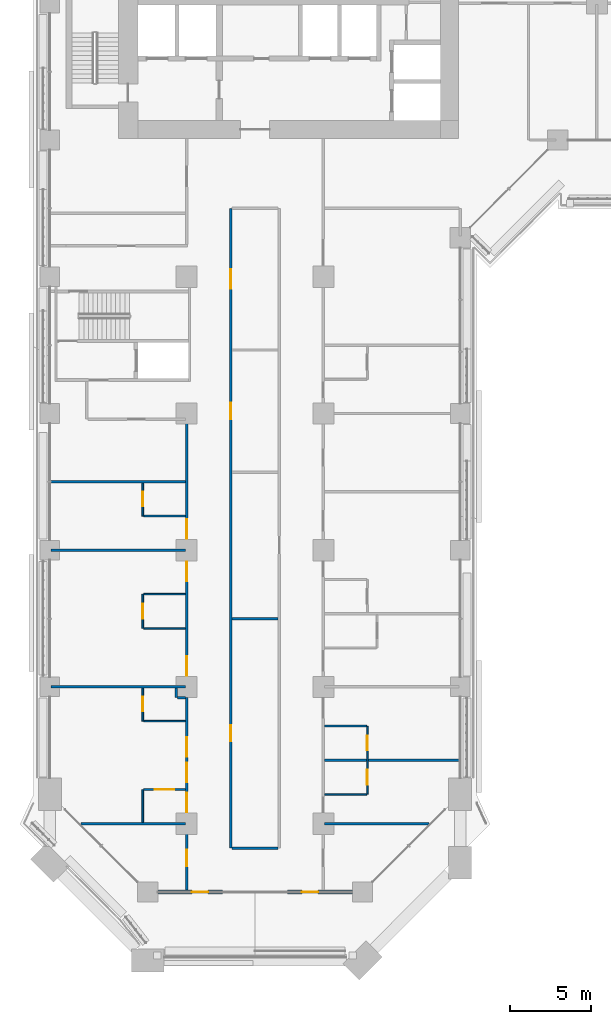
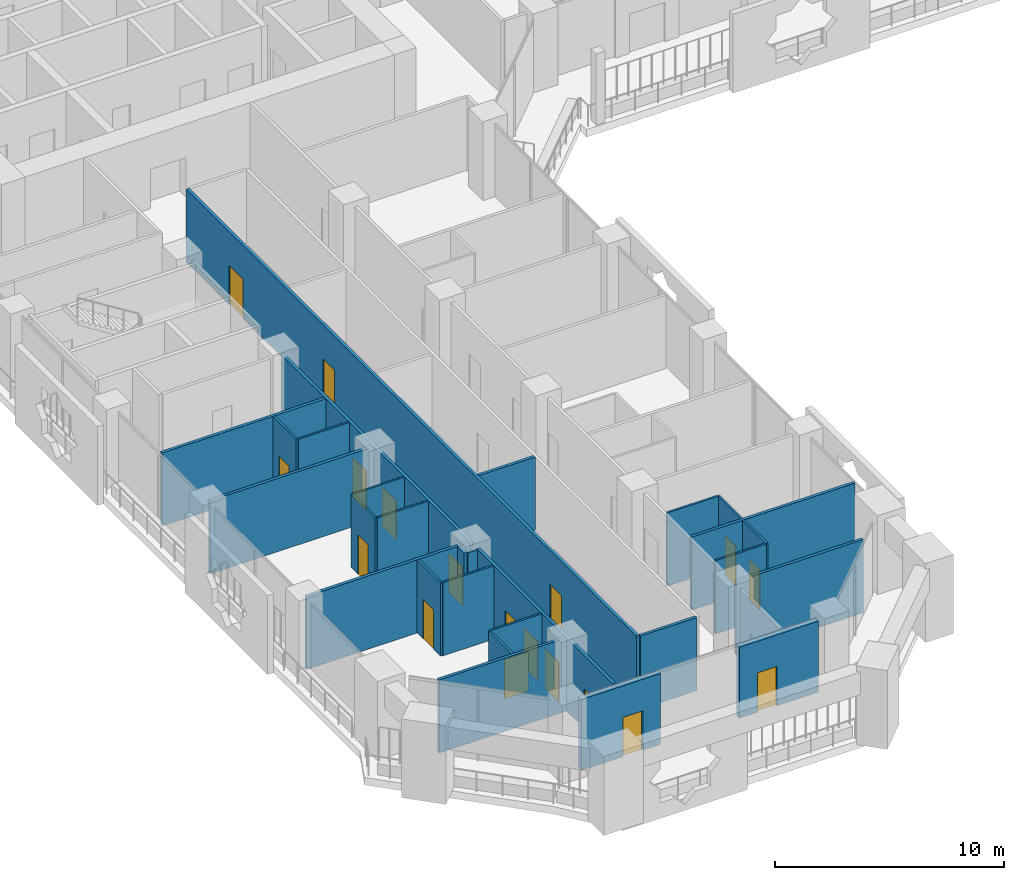
# One storey, part 13 of 28: 27 walls, 18 doors, 18 openings.
"""IFC4 building model written with IfcOpenShell, lengths in metres."""

from ifc_helpers import new_model, si_unit, direction, frame, frame_2d, origin, place, context, subcontext, project, spatial, rectangle, extrude, material, layer, layer_set, type_object, element, fill, save


model = new_model("IFC4")

# Units and contexts
model_context = context("Model", 3, precision=1e-05, world=origin(), true_north=direction((0.0, 1.0)))
body_context = subcontext(model_context, "Body", "Model", "MODEL_VIEW")
ifc_project = project(units=[si_unit("LENGTHUNIT", "METRE"), si_unit("AREAUNIT", "SQUARE_METRE"), si_unit("VOLUMEUNIT", "CUBIC_METRE"), si_unit("PLANEANGLEUNIT", "RADIAN"), si_unit("MASSUNIT", "GRAM", prefix="KILO")], contexts=[model_context])

# Site, building, storey
site_placement = place(None, origin())
site = spatial("IfcSite", under=ifc_project, at=site_placement, CompositionType="ELEMENT")
building_placement = place(site_placement, origin())
building = spatial("IfcBuilding", under=site, at=building_placement, Name="Kawkab Arch Medical Tower", CompositionType="ELEMENT")
storey_placement = place(building_placement, frame((0.0, 0.0, 56.0)))
storey = spatial("IfcBuildingStorey", under=building, at=storey_placement, Name="L12", CompositionType="ELEMENT", Elevation=56.0)

# Wall, opening, door
ifc_material_1 = material(Name="Bronze clad insulated wall panel")
ifc_layer_1 = layer(ifc_material_1, 0.25)
ifc_layer_set_1 = layer_set([ifc_layer_1], Name="Bronze clad insulated wall panel")
wall_type_1 = type_object("IfcWallType", Name="External wall bay 250", PredefinedType="SOLIDWALL", material=ifc_layer_set_1)
wall_1_placement = place(storey_placement, frame((6.625, -71.39990234375, 0.0), z_axis=(0.0, 0.0, 1.0), x_axis=(1.0, 0.0, 0.0)))
wall_1 = element("IfcWall", 1, at=wall_1_placement, inside=storey, type_object=wall_type_1, Name="External wall bay L12.R03.1.1", PredefinedType="SOLIDWALL", context=body_context, shape_type="SweptSolid", body=[
    extrude(rectangle(XDim=3.9833984375, YDim=0.25, at=frame_2d((1.99169921875, 0.0))), origin(), (0.0, 0.0, 1.0), 3.780029296875),
])
opening_1_placement = place(wall_1_placement, frame((2.091796875, 0.0, 0.0)))
opening_1 = element("IfcOpeningElement", 2, at=opening_1_placement, cuts=wall_1, Name="Opening W12-701", PredefinedType="OPENING", context=body_context, shape_type="SweptSolid", body=[
    extrude(rectangle(XDim=1.0, YDim=2.10009765625, at=frame_2d((0.5, 1.050048828125))), frame((0.0, 0.135009765625, 0.0), z_axis=(0.0, -1.0, 0.0), x_axis=(1.0, 0.0, 0.0)), (0.0, 0.0, 1.0), 0.27001953125),
])
ifc_material_2 = material(Name="Bronze anodised aluminium door with tinted glass", Category="aluminium")
door_type_1 = type_object("IfcDoorType", Name="Single external door 1000 x 2100", OperationType="SINGLE_SWING_LEFT", PredefinedType="DOOR", material=ifc_material_2)
door_1_placement = place(opening_1_placement, origin())
door_1 = element("IfcDoor", 3, at=door_1_placement, inside=storey, type_object=door_type_1, Name="External door L12.R03.1.1", OperationType="SINGLE_SWING_LEFT", OverallHeight=2.10009765625, OverallWidth=1.0, PredefinedType="DOOR", context=body_context, shape_type="SweptSolid", body=[
    extrude(rectangle(XDim=1.0, YDim=2.10009765625, at=frame_2d((0.5, 1.050048828125))), frame((0.0, 0.02490234375, 0.0), z_axis=(0.0, -1.0, 0.0), x_axis=(1.0, 0.0, 0.0)), (0.0, 0.0, 1.0), 0.050048828125),
])
fill(opening_1, door_1)

wall_2_placement = place(storey_placement, frame((14.591552734375, -71.39990234375, 0.0), z_axis=(0.0, 0.0, 1.0), x_axis=(1.0, 0.0, 0.0)))
wall_2 = element("IfcWall", 4, at=wall_2_placement, inside=storey, type_object=wall_type_1, Name="External wall bay L12.R03.1.3", PredefinedType="SOLIDWALL", context=body_context, shape_type="SweptSolid", body=[
    extrude(rectangle(XDim=3.9833984375, YDim=0.25, at=frame_2d((1.99169921875, 0.0))), origin(), (0.0, 0.0, 1.0), 3.780029296875),
])
opening_2_placement = place(wall_2_placement, frame((0.8916015625, 0.0, 0.0)))
opening_2 = element("IfcOpeningElement", 5, at=opening_2_placement, cuts=wall_2, Name="Opening W12-701", PredefinedType="OPENING", context=body_context, shape_type="SweptSolid", body=[
    extrude(rectangle(XDim=1.0, YDim=2.10009765625, at=frame_2d((0.5, 1.050048828125))), frame((0.0, 0.135009765625, 0.0), z_axis=(0.0, -1.0, 0.0), x_axis=(1.0, 0.0, 0.0)), (0.0, 0.0, 1.0), 0.27001953125),
])
door_2_placement = place(opening_2_placement, origin())
door_2 = element("IfcDoor", 6, at=door_2_placement, inside=storey, type_object=door_type_1, Name="External door L12.R03.1.3", OperationType="SINGLE_SWING_LEFT", OverallHeight=2.10009765625, OverallWidth=1.0, PredefinedType="DOOR", context=body_context, shape_type="SweptSolid", body=[
    extrude(rectangle(XDim=1.0, YDim=2.10009765625, at=frame_2d((0.5, 1.050048828125))), frame((0.0, 0.02490234375, 0.0), z_axis=(0.0, -1.0, 0.0), x_axis=(1.0, 0.0, 0.0)), (0.0, 0.0, 1.0), 0.050048828125),
])
fill(opening_2, door_2)

# Wall
ifc_material_3 = material(Name="Gypsum board partition on steel studs", Category="steel")
ifc_layer_2 = layer(ifc_material_3, 0.10009765625)
ifc_layer_set_2 = layer_set([ifc_layer_2], Name="Gypsum board partition on steel studs")
wall_type_2 = type_object("IfcWallType", Name="Partition 100", PredefinedType="PARTITIONING", material=ifc_layer_set_2)
wall_3_placement = place(storey_placement, frame((16.875, -65.39990234375, 0.0), z_axis=(0.0, 0.0, 1.0), x_axis=(1.0, 0.0, 0.0)))
element("IfcWall", 7, at=wall_3_placement, inside=storey, type_object=wall_type_2, Name="Partition 100 w001", PredefinedType="PARTITIONING", context=body_context, shape_type="SweptSolid", body=[
    extrude(rectangle(XDim=2.574951171875, YDim=0.10009765625, at=frame_2d((1.28759765625, 0.0))), origin(), (0.0, 0.0, 1.0), 3.89990234375),
])

# Wall, opening, door
wall_4_placement = place(storey_placement, frame((5.75, -65.10009765625, 0.0), z_axis=(0.0, 0.0, 1.0), x_axis=(1.0, 0.0, 0.0)))
wall_4 = element("IfcWall", 8, at=wall_4_placement, inside=storey, type_object=wall_type_2, Name="Partition 100 w002", PredefinedType="PARTITIONING", context=body_context, shape_type="SweptSolid", body=[
    extrude(rectangle(XDim=2.574951171875, YDim=0.10009765625, at=frame_2d((1.28759765625, 0.0))), origin(), (0.0, 0.0, 1.0), 3.89990234375),
])
opening_3_placement = place(wall_4_placement, frame((0.699951171875, 0.0, 0.0)))
opening_3 = element("IfcOpeningElement", 9, at=opening_3_placement, cuts=wall_4, Name="Opening W12-068", PredefinedType="OPENING", context=body_context, shape_type="SweptSolid", body=[
    extrude(rectangle(XDim=1.199951171875, YDim=2.10009765625, at=frame_2d((0.60009765625, 1.050048828125))), frame((0.0, 0.06005859375, 0.0), z_axis=(0.0, -1.0, 0.0), x_axis=(1.0, 0.0, 0.0)), (0.0, 0.0, 1.0), 0.1201171875),
])
ifc_material_4 = material(Name="Timber door leaf", Category="wood")
door_type_2 = type_object("IfcDoorType", Name="Single door 1200x2100", OperationType="NOTDEFINED", PredefinedType="DOOR", material=ifc_material_4)
door_3_placement = place(opening_3_placement, origin())
door_3 = element("IfcDoor", 10, at=door_3_placement, inside=storey, type_object=door_type_2, Name="Door W12-068", OperationType="SINGLE_SWING_LEFT", OverallHeight=2.10009765625, OverallWidth=1.199951171875, PredefinedType="DOOR", context=body_context, shape_type="SweptSolid", body=[
    extrude(rectangle(XDim=1.199951171875, YDim=2.10009765625, at=frame_2d((0.60009765625, 1.050048828125))), frame((0.0, 0.02490234375, 0.0), z_axis=(0.0, -1.0, 0.0), x_axis=(1.0, 0.0, 0.0)), (0.0, 0.0, 1.0), 0.050048828125),
])
fill(opening_3, door_3)

# Walls
for number, where, z_axis, x_axis, name in (
    (11, (16.875, -61.199951171875, 0.0), (0.0, 0.0, 1.0), (1.0, 0.0, 0.0), "Partition 100 w003"),
    (12, (5.75, -60.89990234375, 0.0), (0.0, 0.0, 1.0), (1.0, 0.0, 0.0), "Partition 100 w004"),
):
    element("IfcWall", number, at=place(storey_placement, frame(where, z_axis=z_axis, x_axis=x_axis)), inside=storey, type_object=wall_type_2, Name=name, PredefinedType="PARTITIONING", context=body_context, shape_type="SweptSolid", body=[
        extrude(rectangle(XDim=2.574951171875, YDim=0.10009765625, at=frame_2d((1.28759765625, 0.0))), origin(), (0.0, 0.0, 1.0), 3.89990234375),
    ])
wall_5_placement = place(storey_placement, frame((5.7509765625, -55.199951171875, 0.0), z_axis=(0.0, 0.0, 1.0), x_axis=(1.0, 0.0, 0.0)))
element("IfcWall", 13, at=wall_5_placement, inside=storey, type_object=wall_type_2, Name="Partition 100 w006", PredefinedType="PARTITIONING", context=body_context, shape_type="SweptSolid", body=[
    extrude(rectangle(XDim=2.573974609375, YDim=0.10009765625, at=frame_2d((1.287109375, 0.0))), origin(), (0.0, 0.0, 1.0), 3.89990234375),
])
wall_6_placement = place(storey_placement, frame((5.751953125, -53.10009765625, 0.0), z_axis=(0.0, 0.0, 1.0), x_axis=(1.0, 0.0, 0.0)))
element("IfcWall", 14, at=wall_6_placement, inside=storey, type_object=wall_type_2, Name="Partition 100 w007", PredefinedType="PARTITIONING", context=body_context, shape_type="SweptSolid", body=[
    extrude(rectangle(XDim=2.572998046875, YDim=0.10009765625, at=frame_2d((1.28662109375, 0.0))), origin(), (0.0, 0.0, 1.0), 3.89990234375),
])
wall_7_placement = place(storey_placement, frame((5.75, -48.300048828125, 0.0), z_axis=(0.0, 0.0, 1.0), x_axis=(1.0, 0.0, 0.0)))
element("IfcWall", 15, at=wall_7_placement, inside=storey, type_object=wall_type_2, Name="Partition 100 w009", PredefinedType="PARTITIONING", context=body_context, shape_type="SweptSolid", body=[
    extrude(rectangle(XDim=2.574951171875, YDim=0.10009765625, at=frame_2d((1.28759765625, 0.0))), origin(), (0.0, 0.0, 1.0), 3.89990234375),
])
wall_8_placement = place(storey_placement, frame((5.699951171875, -67.125, 0.0), z_axis=(0.0, 0.0, 1.0), x_axis=(0.0, 1.0, 0.0)))
element("IfcWall", 16, at=wall_8_placement, inside=storey, type_object=wall_type_2, Name="Partition 100 w019", PredefinedType="PARTITIONING", context=body_context, shape_type="SweptSolid", body=[
    extrude(rectangle(XDim=2.02490234375, YDim=0.10009765625, at=frame_2d((1.012451171875, 0.0))), origin(), (0.0, 0.0, 1.0), 3.89990234375),
])

# Wall, opening, door
wall_9_placement = place(storey_placement, frame((5.699951171875, -60.89990234375, 0.0), z_axis=(0.0, 0.0, 1.0), x_axis=(0.0, 1.0, 0.0)))
wall_9 = element("IfcWall", 17, at=wall_9_placement, inside=storey, type_object=wall_type_2, Name="Partition 100 w020", PredefinedType="PARTITIONING", context=body_context, shape_type="SweptSolid", body=[
    extrude(rectangle(XDim=2.02490234375, YDim=0.10009765625, at=frame_2d((1.012451171875, 0.0))), origin(), (0.0, 0.0, 1.0), 3.89990234375),
])
opening_4_placement = place(wall_9_placement, frame((0.60009765625, 0.0, 0.0)))
opening_4 = element("IfcOpeningElement", 18, at=opening_4_placement, cuts=wall_9, Name="Opening W12-019", PredefinedType="OPENING", context=body_context, shape_type="SweptSolid", body=[
    extrude(rectangle(XDim=0.89990234375, YDim=2.10009765625, at=frame_2d((0.449951171875, 1.050048828125))), frame((0.0, 0.06005859375, 0.0), z_axis=(0.0, -1.0, 0.0), x_axis=(1.0, 0.0, 0.0)), (0.0, 0.0, 1.0), 0.1201171875),
])
ifc_material_5 = material(Name="Timber door leaf", Category="wood")
door_type_3 = type_object("IfcDoorType", Name="Single door 900x2100", OperationType="NOTDEFINED", PredefinedType="DOOR", material=ifc_material_5)
door_4_placement = place(opening_4_placement, origin())
door_4 = element("IfcDoor", 19, at=door_4_placement, inside=storey, type_object=door_type_3, Name="Door W12-019", OperationType="SINGLE_SWING_RIGHT", OverallHeight=2.10009765625, OverallWidth=0.89990234375, PredefinedType="DOOR", context=body_context, shape_type="SweptSolid", body=[
    extrude(rectangle(XDim=0.89990234375, YDim=2.10009765625, at=frame_2d((0.449951171875, 1.050048828125))), frame((0.0, 0.02490234375, 0.0), z_axis=(0.0, -1.0, 0.0), x_axis=(1.0, 0.0, 0.0)), (0.0, 0.0, 1.0), 0.050048828125),
])
fill(opening_4, door_4)

wall_10_placement = place(storey_placement, frame((5.699951171875, -55.197998046875, 0.0), z_axis=(0.0, 0.0, 1.0), x_axis=(0.0, 1.0, 0.0)))
wall_10 = element("IfcWall", 20, at=wall_10_placement, inside=storey, type_object=wall_type_2, Name="Partition 100 w021", PredefinedType="PARTITIONING", context=body_context, shape_type="SweptSolid", body=[
    extrude(rectangle(XDim=2.095947265625, YDim=0.10009765625, at=frame_2d((1.0478515625, 0.0))), origin(), (0.0, 0.0, 1.0), 3.89990234375),
])
opening_5_placement = place(wall_10_placement, frame((0.597900390625, 0.0, 0.0)))
opening_5 = element("IfcOpeningElement", 21, at=opening_5_placement, cuts=wall_10, Name="Opening W12-018", PredefinedType="OPENING", context=body_context, shape_type="SweptSolid", body=[
    extrude(rectangle(XDim=0.89990234375, YDim=2.10009765625, at=frame_2d((0.449951171875, 1.050048828125))), frame((0.0, 0.06005859375, 0.0), z_axis=(0.0, -1.0, 0.0), x_axis=(1.0, 0.0, 0.0)), (0.0, 0.0, 1.0), 0.1201171875),
])
door_5_placement = place(opening_5_placement, origin())
door_5 = element("IfcDoor", 22, at=door_5_placement, inside=storey, type_object=door_type_3, Name="Door W12-018", OperationType="SINGLE_SWING_LEFT", OverallHeight=2.10009765625, OverallWidth=0.89990234375, PredefinedType="DOOR", context=body_context, shape_type="SweptSolid", body=[
    extrude(rectangle(XDim=0.89990234375, YDim=2.10009765625, at=frame_2d((0.449951171875, 1.050048828125))), frame((0.0, 0.02490234375, 0.0), z_axis=(0.0, -1.0, 0.0), x_axis=(1.0, 0.0, 0.0)), (0.0, 0.0, 1.0), 0.050048828125),
])
fill(opening_5, door_5)

wall_11_placement = place(storey_placement, frame((5.699951171875, -48.300048828125, 0.0), z_axis=(0.0, 0.0, 1.0), x_axis=(0.0, 1.0, 0.0)))
wall_11 = element("IfcWall", 23, at=wall_11_placement, inside=storey, type_object=wall_type_2, Name="Partition 100 w022", PredefinedType="PARTITIONING", context=body_context, shape_type="SweptSolid", body=[
    extrude(rectangle(XDim=2.025146484375, YDim=0.10009765625, at=frame_2d((1.0126953125, 0.0))), origin(), (0.0, 0.0, 1.0), 3.89990234375),
])
opening_6_placement = place(wall_11_placement, frame((0.60009765625, 0.0, 0.0)))
opening_6 = element("IfcOpeningElement", 24, at=opening_6_placement, cuts=wall_11, Name="Opening W12-017", PredefinedType="OPENING", context=body_context, shape_type="SweptSolid", body=[
    extrude(rectangle(XDim=0.89990234375, YDim=2.10009765625, at=frame_2d((0.449951171875, 1.050048828125))), frame((0.0, 0.06005859375, 0.0), z_axis=(0.0, -1.0, 0.0), x_axis=(1.0, 0.0, 0.0)), (0.0, 0.0, 1.0), 0.1201171875),
])
door_6_placement = place(opening_6_placement, origin())
door_6 = element("IfcDoor", 25, at=door_6_placement, inside=storey, type_object=door_type_3, Name="Door W12-017", OperationType="SINGLE_SWING_RIGHT", OverallHeight=2.10009765625, OverallWidth=0.89990234375, PredefinedType="DOOR", context=body_context, shape_type="SweptSolid", body=[
    extrude(rectangle(XDim=0.89990234375, YDim=2.10009765625, at=frame_2d((0.449951171875, 1.050048828125))), frame((0.0, 0.02490234375, 0.0), z_axis=(0.0, -1.0, 0.0), x_axis=(1.0, 0.0, 0.0)), (0.0, 0.0, 1.0), 0.050048828125),
])
fill(opening_6, door_6)

# Wall, openings, doors
wall_12_placement = place(storey_placement, frame((19.5, -65.39990234375, 0.0), z_axis=(0.0, 0.0, 1.0), x_axis=(0.0, 1.0, 0.0)))
wall_12 = element("IfcWall", 26, at=wall_12_placement, inside=storey, type_object=wall_type_2, Name="Partition 100 w023", PredefinedType="PARTITIONING", context=body_context, shape_type="SweptSolid", body=[
    extrude(rectangle(XDim=4.199951171875, YDim=0.10009765625, at=frame_2d((2.10009765625, 0.0))), origin(), (0.0, 0.0, 1.0), 3.89990234375),
])
opening_7_placement = place(wall_12_placement, frame((2.699951171875, 0.0, 0.0)))
opening_7 = element("IfcOpeningElement", 27, at=opening_7_placement, cuts=wall_12, Name="Opening W12-023", PredefinedType="OPENING", context=body_context, shape_type="SweptSolid", body=[
    extrude(rectangle(XDim=0.89990234375, YDim=2.10009765625, at=frame_2d((0.449951171875, 1.050048828125))), frame((0.0, 0.06005859375, 0.0), z_axis=(0.0, -1.0, 0.0), x_axis=(1.0, 0.0, 0.0)), (0.0, 0.0, 1.0), 0.1201171875),
])
opening_8_placement = place(wall_12_placement, frame((0.60009765625, 0.0, 0.0)))
opening_8 = element("IfcOpeningElement", 28, at=opening_8_placement, cuts=wall_12, Name="Opening W12-024", PredefinedType="OPENING", context=body_context, shape_type="SweptSolid", body=[
    extrude(rectangle(XDim=0.89990234375, YDim=2.10009765625, at=frame_2d((0.449951171875, 1.050048828125))), frame((0.0, 0.06005859375, 0.0), z_axis=(0.0, -1.0, 0.0), x_axis=(1.0, 0.0, 0.0)), (0.0, 0.0, 1.0), 0.1201171875),
])
door_7_placement = place(opening_7_placement, origin())
door_7 = element("IfcDoor", 29, at=door_7_placement, inside=storey, type_object=door_type_3, Name="Door W12-023", OperationType="SINGLE_SWING_LEFT", OverallHeight=2.10009765625, OverallWidth=0.89990234375, PredefinedType="DOOR", context=body_context, shape_type="SweptSolid", body=[
    extrude(rectangle(XDim=0.89990234375, YDim=2.10009765625, at=frame_2d((0.449951171875, 1.050048828125))), frame((0.0, 0.02490234375, 0.0), z_axis=(0.0, -1.0, 0.0), x_axis=(1.0, 0.0, 0.0)), (0.0, 0.0, 1.0), 0.050048828125),
])
fill(opening_7, door_7)
door_8_placement = place(opening_8_placement, origin())
door_8 = element("IfcDoor", 30, at=door_8_placement, inside=storey, type_object=door_type_3, Name="Door W12-024", OperationType="SINGLE_SWING_RIGHT", OverallHeight=2.10009765625, OverallWidth=0.89990234375, PredefinedType="DOOR", context=body_context, shape_type="SweptSolid", body=[
    extrude(rectangle(XDim=0.89990234375, YDim=2.10009765625, at=frame_2d((0.449951171875, 1.050048828125))), frame((0.0, 0.02490234375, 0.0), z_axis=(0.0, -1.0, 0.0), x_axis=(1.0, 0.0, 0.0)), (0.0, 0.0, 1.0), 0.050048828125),
])
fill(opening_8, door_8)

# Walls
ifc_material_6 = material(Name="Gypsum board partition on steel studs, mineral wool", Category="steel")
ifc_layer_3 = layer(ifc_material_6, 0.14990234375)
ifc_layer_set_3 = layer_set([ifc_layer_3], Name="Gypsum board partition on steel studs, mineral wool")
wall_type_3 = type_object("IfcWallType", Name="Partition 150", PredefinedType="PARTITIONING", material=ifc_layer_set_3)
wall_13_placement = place(storey_placement, frame((11.175048828125, -68.699951171875, 0.0), z_axis=(0.0, 0.0, 1.0), x_axis=(1.0, 0.0, 0.0)))
element("IfcWall", 31, at=wall_13_placement, inside=storey, type_object=wall_type_3, Name="Partition 150 w038", PredefinedType="PARTITIONING", context=body_context, shape_type="SweptSolid", body=[
    extrude(rectangle(XDim=2.849853515625, YDim=0.14990234375, at=frame_2d((1.4248046875, 0.0))), origin(), (0.0, 0.0, 1.0), 3.89990234375),
])
wall_14_placement = place(storey_placement, frame((1.9130859375, -67.199951171875, 0.0), z_axis=(0.0, 0.0, 1.0), x_axis=(1.0, 0.0, 0.0)))
element("IfcWall", 32, at=wall_14_placement, inside=storey, type_object=wall_type_3, Name="Partition 150 w039", PredefinedType="PARTITIONING", context=body_context, shape_type="SweptSolid", body=[
    extrude(rectangle(XDim=6.411865234375, YDim=0.14990234375, at=frame_2d((3.2060546875, 0.0))), origin(), (0.0, 0.0, 1.0), 3.89990234375),
])
wall_15_placement = place(storey_placement, frame((16.875, -67.199951171875, 0.0), z_axis=(0.0, 0.0, 1.0), x_axis=(1.0, 0.0, 0.0)))
element("IfcWall", 33, at=wall_15_placement, inside=storey, type_object=wall_type_3, Name="Partition 150 w040", PredefinedType="PARTITIONING", context=body_context, shape_type="SweptSolid", body=[
    extrude(rectangle(XDim=6.412109375, YDim=0.14990234375, at=frame_2d((3.2060546875, 0.0))), origin(), (0.0, 0.0, 1.0), 3.89990234375),
])
wall_16_placement = place(storey_placement, frame((16.875, -63.300048828125, 0.0), z_axis=(0.0, 0.0, 1.0), x_axis=(1.0, 0.0, 0.0)))
element("IfcWall", 34, at=wall_16_placement, inside=storey, type_object=wall_type_3, Name="Partition 150 w041", PredefinedType="PARTITIONING", context=body_context, shape_type="SweptSolid", body=[
    extrude(rectangle(XDim=8.2451171875, YDim=0.14990234375, at=frame_2d((4.12255859375, 0.0))), origin(), (0.0, 0.0, 1.0), 3.89990234375),
])
wall_17_placement = place(storey_placement, frame((7.824951171875, -59.449951171875, 0.0), z_axis=(0.0, 0.0, 1.0), x_axis=(1.0, 0.0, 0.0)))
element("IfcWall", 35, at=wall_17_placement, inside=storey, type_object=wall_type_3, Name="Partition 150 w042", PredefinedType="PARTITIONING", context=body_context, shape_type="SweptSolid", body=[
    extrude(rectangle(XDim=0.498046875, YDim=0.14990234375, at=frame_2d((0.2490234375, 0.0))), origin(), (0.0, 0.0, 1.0), 3.89990234375),
])
wall_18_placement = place(storey_placement, frame((0.080078125, -58.800048828125, 0.0), z_axis=(0.0, 0.0, 1.0), x_axis=(1.0, 0.0, 0.0)))
element("IfcWall", 36, at=wall_18_placement, inside=storey, type_object=wall_type_3, Name="Partition 150 w043", PredefinedType="PARTITIONING", context=body_context, shape_type="SweptSolid", body=[
    extrude(rectangle(XDim=8.242919921875, YDim=0.14990234375, at=frame_2d((4.12158203125, 0.0))), origin(), (0.0, 0.0, 1.0), 3.89990234375),
])
wall_19_placement = place(storey_placement, frame((11.175048828125, -54.60009765625, 0.0), z_axis=(0.0, 0.0, 1.0), x_axis=(1.0, 0.0, 0.0)))
element("IfcWall", 37, at=wall_19_placement, inside=storey, type_object=wall_type_3, Name="Partition 150 w045", PredefinedType="PARTITIONING", context=body_context, shape_type="SweptSolid", body=[
    extrude(rectangle(XDim=2.849853515625, YDim=0.14990234375, at=frame_2d((1.4248046875, 0.0))), origin(), (0.0, 0.0, 1.0), 3.89990234375),
])
for number, where, z_axis, x_axis, name in (
    (38, (0.080078125, -50.39990234375, 0.0), (0.0, 0.0, 1.0), (1.0, 0.0, 0.0), "Partition 150 w047"),
    (39, (0.080078125, -46.199951171875, 0.0), (0.0, 0.0, 1.0), (1.0, 0.0, 0.0), "Partition 150 w049"),
):
    element("IfcWall", number, at=place(storey_placement, frame(where, z_axis=z_axis, x_axis=x_axis)), inside=storey, type_object=wall_type_3, Name=name, PredefinedType="PARTITIONING", context=body_context, shape_type="SweptSolid", body=[
        extrude(rectangle(XDim=8.244873046875, YDim=0.14990234375, at=frame_2d((4.12255859375, 0.0))), origin(), (0.0, 0.0, 1.0), 3.89990234375),
    ])
wall_20_placement = place(storey_placement, frame((7.75, -59.449951171875, 0.0), z_axis=(0.0, 0.0, 1.0), x_axis=(0.0, 1.0, 0.0)))
element("IfcWall", 40, at=wall_20_placement, inside=storey, type_object=wall_type_3, Name="Partition 150 w071", PredefinedType="PARTITIONING", context=body_context, shape_type="SweptSolid", body=[
    extrude(rectangle(XDim=0.574951171875, YDim=0.14990234375, at=frame_2d((0.28759765625, 0.0))), origin(), (0.0, 0.0, 1.0), 3.89990234375),
])

# Wall, openings, doors
wall_21_placement = place(storey_placement, frame((8.39990234375, -71.320068359375, 0.0), z_axis=(0.0, 0.0, 1.0), x_axis=(0.0, 1.0, 0.0)))
wall_21 = element("IfcWall", 41, at=wall_21_placement, inside=storey, type_object=wall_type_3, Name="Partition 150 w072", PredefinedType="PARTITIONING", context=body_context, shape_type="SweptSolid", body=[
    extrude(rectangle(XDim=11.8681640625, YDim=0.14990234375, at=frame_2d((5.93408203125, 0.0))), origin(), (0.0, 0.0, 1.0), 3.89990234375),
])
opening_9_placement = place(wall_21_placement, frame((6.669921875, 0.0, 0.0)))
opening_9 = element("IfcOpeningElement", 42, at=opening_9_placement, cuts=wall_21, Name="Opening W12-065", PredefinedType="OPENING", context=body_context, shape_type="SweptSolid", body=[
    extrude(rectangle(XDim=1.199951171875, YDim=2.10009765625, at=frame_2d((0.60009765625, 1.050048828125))), frame((0.0, 0.0849609375, 0.0), z_axis=(0.0, -1.0, 0.0), x_axis=(1.0, 0.0, 0.0)), (0.0, 0.0, 1.0), 0.169921875),
])
opening_10_placement = place(wall_21_placement, frame((8.219970703125, 0.0, 0.0)))
opening_10 = element("IfcOpeningElement", 43, at=opening_10_placement, cuts=wall_21, Name="Opening W12-066", PredefinedType="OPENING", context=body_context, shape_type="SweptSolid", body=[
    extrude(rectangle(XDim=1.199951171875, YDim=2.10009765625, at=frame_2d((0.60009765625, 1.050048828125))), frame((0.0, 0.0849609375, 0.0), z_axis=(0.0, -1.0, 0.0), x_axis=(1.0, 0.0, 0.0)), (0.0, 0.0, 1.0), 0.169921875),
])
opening_11_placement = place(wall_21_placement, frame((4.820068359375, 0.0, 0.0)))
opening_11 = element("IfcOpeningElement", 44, at=opening_11_placement, cuts=wall_21, Name="Opening W12-067", PredefinedType="OPENING", context=body_context, shape_type="SweptSolid", body=[
    extrude(rectangle(XDim=1.199951171875, YDim=2.10009765625, at=frame_2d((0.60009765625, 1.050048828125))), frame((0.0, 0.0849609375, 0.0), z_axis=(0.0, -1.0, 0.0), x_axis=(1.0, 0.0, 0.0)), (0.0, 0.0, 1.0), 0.169921875),
])
opening_12_placement = place(wall_21_placement, frame((1.52001953125, 0.0, 0.0)))
opening_12 = element("IfcOpeningElement", 45, at=opening_12_placement, cuts=wall_21, Name="Opening W12-041", PredefinedType="OPENING", context=body_context, shape_type="SweptSolid", body=[
    extrude(rectangle(XDim=1.0, YDim=2.10009765625, at=frame_2d((0.5, 1.050048828125))), frame((0.0, 0.0849609375, 0.0), z_axis=(0.0, -1.0, 0.0), x_axis=(1.0, 0.0, 0.0)), (0.0, 0.0, 1.0), 0.169921875),
])
ifc_material_7 = material(Name="Hollow metal door leaf")
door_type_4 = type_object("IfcDoorType", Name="Single door 1000x2100 FD30S", OperationType="NOTDEFINED", PredefinedType="DOOR", material=ifc_material_7)
door_9_placement = place(opening_12_placement, origin())
door_9 = element("IfcDoor", 46, at=door_9_placement, inside=storey, type_object=door_type_4, Name="Door W12-041", OperationType="SINGLE_SWING_LEFT", OverallHeight=2.10009765625, OverallWidth=1.0, PredefinedType="DOOR", context=body_context, shape_type="SweptSolid", body=[
    extrude(rectangle(XDim=1.0, YDim=2.10009765625, at=frame_2d((0.5, 1.050048828125))), frame((0.0, 0.02490234375, 0.0), z_axis=(0.0, -1.0, 0.0), x_axis=(1.0, 0.0, 0.0)), (0.0, 0.0, 1.0), 0.050048828125),
])
fill(opening_12, door_9)
ifc_material_8 = material(Name="Hollow metal door leaf")
door_type_5 = type_object("IfcDoorType", Name="Single door 1200x2100 FD30S", OperationType="NOTDEFINED", PredefinedType="DOOR", material=ifc_material_8)
door_10_placement = place(opening_9_placement, origin())
door_10 = element("IfcDoor", 47, at=door_10_placement, inside=storey, type_object=door_type_5, Name="Door W12-065", OperationType="SINGLE_SWING_RIGHT", OverallHeight=2.10009765625, OverallWidth=1.199951171875, PredefinedType="DOOR", context=body_context, shape_type="SweptSolid", body=[
    extrude(rectangle(XDim=1.199951171875, YDim=2.10009765625, at=frame_2d((0.60009765625, 1.050048828125))), frame((0.0, 0.02490234375, 0.0), z_axis=(0.0, -1.0, 0.0), x_axis=(1.0, 0.0, 0.0)), (0.0, 0.0, 1.0), 0.050048828125),
])
fill(opening_9, door_10)
door_11_placement = place(opening_10_placement, origin())
door_11 = element("IfcDoor", 48, at=door_11_placement, inside=storey, type_object=door_type_5, Name="Door W12-066", OperationType="SINGLE_SWING_RIGHT", OverallHeight=2.10009765625, OverallWidth=1.199951171875, PredefinedType="DOOR", context=body_context, shape_type="SweptSolid", body=[
    extrude(rectangle(XDim=1.199951171875, YDim=2.10009765625, at=frame_2d((0.60009765625, 1.050048828125))), frame((0.0, 0.02490234375, 0.0), z_axis=(0.0, -1.0, 0.0), x_axis=(1.0, 0.0, 0.0)), (0.0, 0.0, 1.0), 0.050048828125),
])
fill(opening_10, door_11)
door_12_placement = place(opening_11_placement, origin())
door_12 = element("IfcDoor", 49, at=door_12_placement, inside=storey, type_object=door_type_5, Name="Door W12-067", OperationType="SINGLE_SWING_LEFT", OverallHeight=2.10009765625, OverallWidth=1.199951171875, PredefinedType="DOOR", context=body_context, shape_type="SweptSolid", body=[
    extrude(rectangle(XDim=1.199951171875, YDim=2.10009765625, at=frame_2d((0.60009765625, 1.050048828125))), frame((0.0, 0.02490234375, 0.0), z_axis=(0.0, -1.0, 0.0), x_axis=(1.0, 0.0, 0.0)), (0.0, 0.0, 1.0), 0.050048828125),
])
fill(opening_11, door_12)

wall_22_placement = place(storey_placement, frame((8.39990234375, -58.798095703125, 0.0), z_axis=(0.0, 0.0, 1.0), x_axis=(0.0, 1.0, 0.0)))
wall_22 = element("IfcWall", 50, at=wall_22_placement, inside=storey, type_object=wall_type_3, Name="Partition 150 w073", PredefinedType="PARTITIONING", context=body_context, shape_type="SweptSolid", body=[
    extrude(rectangle(XDim=16.447998046875, YDim=0.14990234375, at=frame_2d((8.22412109375, 0.0))), origin(), (0.0, 0.0, 1.0), 3.89990234375),
])
opening_13_placement = place(wall_22_placement, frame((9.097900390625, 0.0, 0.0)))
opening_13 = element("IfcOpeningElement", 51, at=opening_13_placement, cuts=wall_22, Name="Opening W12-062", PredefinedType="OPENING", context=body_context, shape_type="SweptSolid", body=[
    extrude(rectangle(XDim=1.199951171875, YDim=2.10009765625, at=frame_2d((0.60009765625, 1.050048828125))), frame((0.0, 0.0849609375, 0.0), z_axis=(0.0, -1.0, 0.0), x_axis=(1.0, 0.0, 0.0)), (0.0, 0.0, 1.0), 0.169921875),
])
opening_14_placement = place(wall_22_placement, frame((0.698974609375, 0.0, 0.0)))
opening_14 = element("IfcOpeningElement", 52, at=opening_14_placement, cuts=wall_22, Name="Opening W12-063", PredefinedType="OPENING", context=body_context, shape_type="SweptSolid", body=[
    extrude(rectangle(XDim=1.199951171875, YDim=2.10009765625, at=frame_2d((0.60009765625, 1.050048828125))), frame((0.0, 0.0849609375, 0.0), z_axis=(0.0, -1.0, 0.0), x_axis=(1.0, 0.0, 0.0)), (0.0, 0.0, 1.0), 0.169921875),
])
opening_15_placement = place(wall_22_placement, frame((6.498046875, 0.0, 0.0)))
opening_15 = element("IfcOpeningElement", 53, at=opening_15_placement, cuts=wall_22, Name="Opening W12-064", PredefinedType="OPENING", context=body_context, shape_type="SweptSolid", body=[
    extrude(rectangle(XDim=1.199951171875, YDim=2.10009765625, at=frame_2d((0.60009765625, 1.050048828125))), frame((0.0, 0.0849609375, 0.0), z_axis=(0.0, -1.0, 0.0), x_axis=(1.0, 0.0, 0.0)), (0.0, 0.0, 1.0), 0.169921875),
])
door_13_placement = place(opening_13_placement, origin())
door_13 = element("IfcDoor", 54, at=door_13_placement, inside=storey, type_object=door_type_5, Name="Door W12-062", OperationType="SINGLE_SWING_RIGHT", OverallHeight=2.10009765625, OverallWidth=1.199951171875, PredefinedType="DOOR", context=body_context, shape_type="SweptSolid", body=[
    extrude(rectangle(XDim=1.199951171875, YDim=2.10009765625, at=frame_2d((0.60009765625, 1.050048828125))), frame((0.0, 0.02490234375, 0.0), z_axis=(0.0, -1.0, 0.0), x_axis=(1.0, 0.0, 0.0)), (0.0, 0.0, 1.0), 0.050048828125),
])
fill(opening_13, door_13)
door_14_placement = place(opening_14_placement, origin())
door_14 = element("IfcDoor", 55, at=door_14_placement, inside=storey, type_object=door_type_5, Name="Door W12-063", OperationType="SINGLE_SWING_LEFT", OverallHeight=2.10009765625, OverallWidth=1.199951171875, PredefinedType="DOOR", context=body_context, shape_type="SweptSolid", body=[
    extrude(rectangle(XDim=1.199951171875, YDim=2.10009765625, at=frame_2d((0.60009765625, 1.050048828125))), frame((0.0, 0.02490234375, 0.0), z_axis=(0.0, -1.0, 0.0), x_axis=(1.0, 0.0, 0.0)), (0.0, 0.0, 1.0), 0.050048828125),
])
fill(opening_14, door_14)
door_15_placement = place(opening_15_placement, origin())
door_15 = element("IfcDoor", 56, at=door_15_placement, inside=storey, type_object=door_type_5, Name="Door W12-064", OperationType="SINGLE_SWING_LEFT", OverallHeight=2.10009765625, OverallWidth=1.199951171875, PredefinedType="DOOR", context=body_context, shape_type="SweptSolid", body=[
    extrude(rectangle(XDim=1.199951171875, YDim=2.10009765625, at=frame_2d((0.60009765625, 1.050048828125))), frame((0.0, 0.02490234375, 0.0), z_axis=(0.0, -1.0, 0.0), x_axis=(1.0, 0.0, 0.0)), (0.0, 0.0, 1.0), 0.050048828125),
])
fill(opening_15, door_15)

wall_23_placement = place(storey_placement, frame((11.10009765625, -68.699951171875, 0.0), z_axis=(0.0, 0.0, 1.0), x_axis=(0.0, 1.0, 0.0)))
wall_23 = element("IfcWall", 57, at=wall_23_placement, inside=storey, type_object=wall_type_3, Name="Partition 150 w075", PredefinedType="PARTITIONING", context=body_context, shape_type="SweptSolid", body=[
    extrude(rectangle(XDim=39.300048828125, YDim=0.14990234375, at=frame_2d((19.64990234375, 0.0))), origin(), (0.0, 0.0, 1.0), 3.89990234375),
])
opening_16_placement = place(wall_23_placement, frame((34.35009765625, 0.0, 0.0)))
opening_16 = element("IfcOpeningElement", 58, at=opening_16_placement, cuts=wall_23, Name="Opening W12-069", PredefinedType="OPENING", context=body_context, shape_type="SweptSolid", body=[
    extrude(rectangle(XDim=1.199951171875, YDim=2.10009765625, at=frame_2d((0.60009765625, 1.050048828125))), frame((0.0, 0.0849609375, 0.0), z_axis=(0.0, -1.0, 0.0), x_axis=(1.0, 0.0, 0.0)), (0.0, 0.0, 1.0), 0.169921875),
])
opening_17_placement = place(wall_23_placement, frame((26.35009765625, 0.0, 0.0)))
opening_17 = element("IfcOpeningElement", 59, at=opening_17_placement, cuts=wall_23, Name="Opening W12-042", PredefinedType="OPENING", context=body_context, shape_type="SweptSolid", body=[
    extrude(rectangle(XDim=1.0, YDim=2.10009765625, at=frame_2d((0.5, 1.050048828125))), frame((0.0, 0.0849609375, 0.0), z_axis=(0.0, -1.0, 0.0), x_axis=(1.0, 0.0, 0.0)), (0.0, 0.0, 1.0), 0.169921875),
])
opening_18_placement = place(wall_23_placement, frame((6.550048828125, 0.0, 0.0)))
opening_18 = element("IfcOpeningElement", 60, at=opening_18_placement, cuts=wall_23, Name="Opening W12-044", PredefinedType="OPENING", context=body_context, shape_type="SweptSolid", body=[
    extrude(rectangle(XDim=1.0, YDim=2.10009765625, at=frame_2d((0.5, 1.050048828125))), frame((0.0, 0.0849609375, 0.0), z_axis=(0.0, -1.0, 0.0), x_axis=(1.0, 0.0, 0.0)), (0.0, 0.0, 1.0), 0.169921875),
])
door_16_placement = place(opening_17_placement, origin())
door_16 = element("IfcDoor", 61, at=door_16_placement, inside=storey, type_object=door_type_4, Name="Door W12-042", OperationType="SINGLE_SWING_LEFT", OverallHeight=2.10009765625, OverallWidth=1.0, PredefinedType="DOOR", context=body_context, shape_type="SweptSolid", body=[
    extrude(rectangle(XDim=1.0, YDim=2.10009765625, at=frame_2d((0.5, 1.050048828125))), frame((0.0, 0.02490234375, 0.0), z_axis=(0.0, -1.0, 0.0), x_axis=(1.0, 0.0, 0.0)), (0.0, 0.0, 1.0), 0.050048828125),
])
fill(opening_17, door_16)
door_17_placement = place(opening_18_placement, origin())
door_17 = element("IfcDoor", 62, at=door_17_placement, inside=storey, type_object=door_type_4, Name="Door W12-044", OperationType="SINGLE_SWING_RIGHT", OverallHeight=2.10009765625, OverallWidth=1.0, PredefinedType="DOOR", context=body_context, shape_type="SweptSolid", body=[
    extrude(rectangle(XDim=1.0, YDim=2.10009765625, at=frame_2d((0.5, 1.050048828125))), frame((0.0, 0.02490234375, 0.0), z_axis=(0.0, -1.0, 0.0), x_axis=(1.0, 0.0, 0.0)), (0.0, 0.0, 1.0), 0.050048828125),
])
fill(opening_18, door_17)
door_18_placement = place(opening_16_placement, origin())
door_18 = element("IfcDoor", 63, at=door_18_placement, inside=storey, type_object=door_type_5, Name="Door W12-069", OperationType="SINGLE_SWING_LEFT", OverallHeight=2.10009765625, OverallWidth=1.199951171875, PredefinedType="DOOR", context=body_context, shape_type="SweptSolid", body=[
    extrude(rectangle(XDim=1.199951171875, YDim=2.10009765625, at=frame_2d((0.60009765625, 1.050048828125))), frame((0.0, 0.02490234375, 0.0), z_axis=(0.0, -1.0, 0.0), x_axis=(1.0, 0.0, 0.0)), (0.0, 0.0, 1.0), 0.050048828125),
])
fill(opening_16, door_18)

save(model, "model.ifc")
